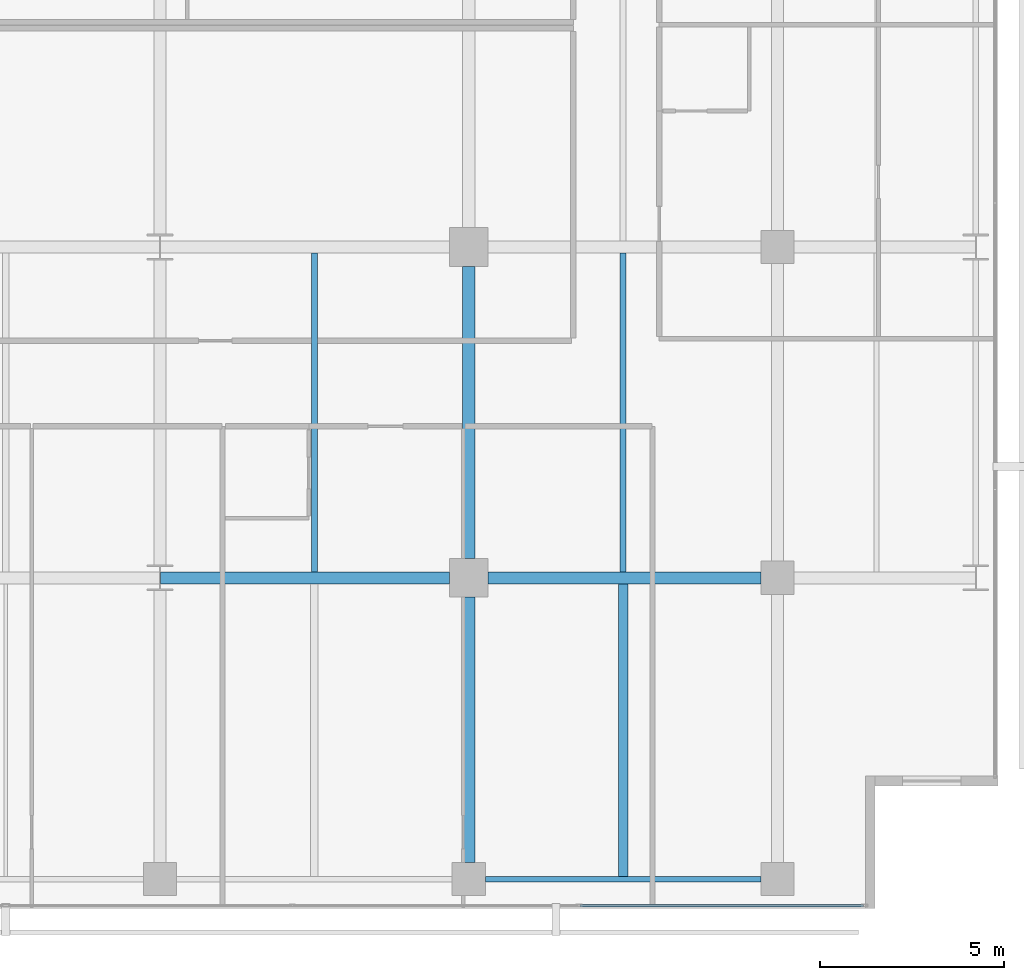
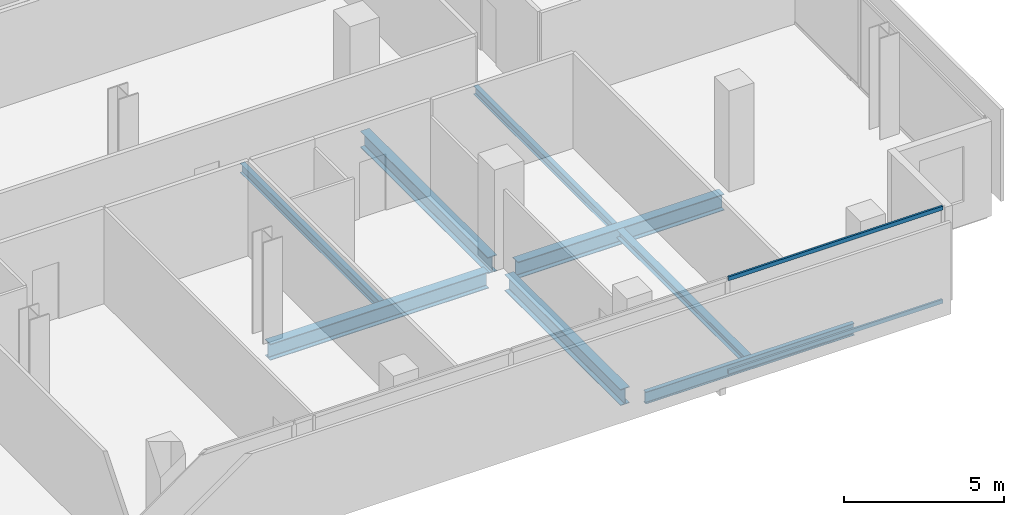
# One storey, part 15 of 40: 8 beams, 2 members, 1 element without a shape of its own.
"""IFC4 building model written with IfcOpenShell, lengths in metres."""

from ifc_helpers import new_model, si_unit, direction, frame, origin, origin_2d, place, context, subcontext, project, spatial, hollow_rectangle, i_section, extrude, material, layer, layer_set, material_profile, profile_set, type_object, element, aggregate, save


model = new_model("IFC4")

# Units and contexts
model_context = context("Model", 3, precision=1e-05, world=origin(), true_north=direction((0.0, 1.0)))
body_context = subcontext(model_context, "Body", "Model", "MODEL_VIEW")
ifc_project = project(units=[si_unit("LENGTHUNIT", "METRE"), si_unit("AREAUNIT", "SQUARE_METRE"), si_unit("VOLUMEUNIT", "CUBIC_METRE"), si_unit("PLANEANGLEUNIT", "RADIAN"), si_unit("MASSUNIT", "GRAM", prefix="KILO")], contexts=[model_context])

# Site, building, storey
site_placement = place(None, origin())
site = spatial("IfcSite", under=ifc_project, at=site_placement, CompositionType="ELEMENT")
building_placement = place(site_placement, origin())
building = spatial("IfcBuilding", under=site, at=building_placement, Name="Maruvema Waterfront Hotel and Observation Tower", CompositionType="ELEMENT")
storey_placement = place(building_placement, frame((0.0, 0.0, 73.14990234375)))
storey = spatial("IfcBuildingStorey", under=building, at=storey_placement, Name="L17", CompositionType="ELEMENT", Elevation=73.14990234375)

# Curtain wall, members
ifc_material_1 = material(Name="Anodised bronze aluminium and solar-control low-E IGU", Category="aluminium")
ifc_layer = layer(ifc_material_1, 0.159912109375, Name="Zone 1 Bronze Inner Thermal Curtain Wall System CW-02")
ifc_layer_set = layer_set([ifc_layer], Name="Anodised bronze aluminium and solar-control low-E IGU")
curtain_wall_type = type_object("IfcCurtainWallType", Name="Zone 1 Bronze Inner Thermal Curtain Wall System CW-02", PredefinedType="USERDEFINED", material=ifc_layer_set)
curtain_wall_placement = place(storey_placement, origin())
curtain_wall = element("IfcCurtainWall", 1, at=curtain_wall_placement, inside=storey, type_object=curtain_wall_type, Name="L17 Curtain Wall CW-L17-S", ObjectType="UNITISED CURTAIN WALL", PredefinedType="USERDEFINED")
ifc_material_2 = material(Name="Anodised architectural bronze aluminium", Category="aluminium")
ifc_material_profile_1 = material_profile(ifc_material_2, hollow_rectangle(XDim=0.070068359375, YDim=0.14990234375, WallThickness=0.00390625, at=origin_2d()), Name="ALU-T70x150")
ifc_profile_set_1 = profile_set([ifc_material_profile_1], Name="Anodised architectural bronze aluminium")
member_type = type_object("IfcMemberType", Name="Curtain Wall Horizontal Transom ALU-T70x150", PredefinedType="USERDEFINED", material=ifc_profile_set_1)
member_1_placement = place(storey_placement, frame((53.429931640625, 0.080078125, 0.030029296875), z_axis=(1.0, 0.0, 0.0), x_axis=(0.0, 1.0, 0.0)))
member_1 = element("IfcMember", 2, at=member_1_placement, type_object=member_type, Name="CW-02 transom 6.1", ObjectType="TRANSOM", PredefinedType="USERDEFINED", context=body_context, shape_type="SweptSolid", body=[
    extrude(hollow_rectangle(XDim=0.070068359375, YDim=0.14990234375, WallThickness=0.00390625, at=origin_2d()), origin(), (0.0, 0.0, 1.0), 7.7099609375),
])
member_2_placement = place(storey_placement, frame((53.429931640625, 0.080078125, 3.580078125), z_axis=(1.0, 0.0, 0.0), x_axis=(0.0, 1.0, 0.0)))
member_2 = element("IfcMember", 3, at=member_2_placement, type_object=member_type, Name="CW-02 transom 6.2", ObjectType="TRANSOM", PredefinedType="USERDEFINED", context=body_context, shape_type="SweptSolid", body=[
    extrude(hollow_rectangle(XDim=0.070068359375, YDim=0.14990234375, WallThickness=0.00390625, at=origin_2d()), origin(), (0.0, 0.0, 1.0), 7.7099609375),
])
aggregate(curtain_wall, [member_1, member_2])

# Beams
ifc_material_3 = material(Name="Steel ASTM A572 Grade 50", Category="steel")
ifc_material_profile_2 = material_profile(ifc_material_3, i_section(OverallWidth=0.153076171875, OverallDepth=0.455078125, WebThickness=0.008056640625, FlangeThickness=0.01318359375, FilletRadius=0.014892578125, at=origin_2d()), Name="W460x60.0")
ifc_profile_set_2 = profile_set([ifc_material_profile_2], Name="Steel ASTM A572 Grade 50")
beam_type_1 = type_object("IfcBeamType", Name="Perimeter Spandrel Beam W460x60.0", PredefinedType="SPANDREL", material=ifc_profile_set_2)
beam_1_placement = place(storey_placement, frame((50.85009765625, 0.800048828125, -0.46728515625), z_axis=(1.0, 0.0, 0.0), x_axis=(0.0, 1.0, 0.0)))
element("IfcBeam", 4, at=beam_1_placement, inside=storey, type_object=beam_type_1, Name="L17 Floor Girder EW-05", PredefinedType="SPANDREL", context=body_context, shape_type="SweptSolid", body=[
    extrude(i_section(OverallWidth=0.153076171875, OverallDepth=0.455078125, WebThickness=0.008056640625, FlangeThickness=0.01318359375, FilletRadius=0.014892578125, at=origin_2d()), origin(), (0.0, 0.0, 1.0), 7.5),
])
ifc_material_4 = material(Name="Steel ASTM A572 Grade 50", Category="steel")
ifc_material_profile_3 = material_profile(ifc_material_4, i_section(OverallWidth=0.326904296875, OverallDepth=0.6220703125, WebThickness=0.015380859375, FlangeThickness=0.0244140625, FilletRadius=0.01806640625, at=origin_2d()), Name="W610x195.0")
ifc_profile_set_3 = profile_set([ifc_material_profile_3], Name="Steel ASTM A572 Grade 50")
beam_type_2 = type_object("IfcBeamType", Name="Primary Floor Girder W610x195.0", PredefinedType="BEAM", material=ifc_profile_set_3)
beam_2_placement = place(storey_placement, frame((42.013916015625, 9.0, -0.55078125), z_axis=(1.0, 0.0, 0.0), x_axis=(0.0, 1.0, 0.0)))
element("IfcBeam", 5, at=beam_2_placement, inside=storey, type_object=beam_type_2, Name="L17 Floor Girder EW-10", PredefinedType="BEAM", context=body_context, shape_type="SweptSolid", body=[
    extrude(i_section(OverallWidth=0.326904296875, OverallDepth=0.6220703125, WebThickness=0.015380859375, FlangeThickness=0.0244140625, FilletRadius=0.01806640625, at=origin_2d()), origin(), (0.0, 0.0, 1.0), 7.861083984375),
])
beam_3_placement = place(storey_placement, frame((50.925048828125, 9.0, -0.55078125), z_axis=(1.0, 0.0, 0.0), x_axis=(0.0, 1.0, 0.0)))
element("IfcBeam", 6, at=beam_3_placement, inside=storey, type_object=beam_type_2, Name="L17 Floor Girder EW-11", PredefinedType="BEAM", context=body_context, shape_type="SweptSolid", body=[
    extrude(i_section(OverallWidth=0.326904296875, OverallDepth=0.6220703125, WebThickness=0.015380859375, FlangeThickness=0.0244140625, FilletRadius=0.01806640625, at=origin_2d()), origin(), (0.0, 0.0, 1.0), 7.425048828125),
])
beam_4_placement = place(storey_placement, frame((50.39990234375, 1.25, -0.55078125), z_axis=(0.0, 1.0, 0.0), x_axis=(-1.0, 0.0, 0.0)))
element("IfcBeam", 7, at=beam_4_placement, inside=storey, type_object=beam_type_2, Name="L17 Floor Girder NS-22", PredefinedType="BEAM", context=body_context, shape_type="SweptSolid", body=[
    extrude(i_section(OverallWidth=0.326904296875, OverallDepth=0.6220703125, WebThickness=0.015380859375, FlangeThickness=0.0244140625, FilletRadius=0.01806640625, at=origin_2d()), origin(), (0.0, 0.0, 1.0), 7.22509765625),
])
beam_5_placement = place(storey_placement, frame((50.39990234375, 9.52490234375, -0.55078125), z_axis=(0.0, 1.0, 0.0), x_axis=(-1.0, 0.0, 0.0)))
element("IfcBeam", 8, at=beam_5_placement, inside=storey, type_object=beam_type_2, Name="L17 Floor Girder NS-23", PredefinedType="BEAM", context=body_context, shape_type="SweptSolid", body=[
    extrude(i_section(OverallWidth=0.326904296875, OverallDepth=0.6220703125, WebThickness=0.015380859375, FlangeThickness=0.0244140625, FilletRadius=0.01806640625, at=origin_2d()), origin(), (0.0, 0.0, 1.0), 7.9501953125),
])
ifc_material_5 = material(Name="Steel ASTM A572 Grade 50", Category="steel")
ifc_material_profile_4 = material_profile(ifc_material_5, i_section(OverallWidth=0.1669921875, OverallDepth=0.31689453125, WebThickness=0.007568359375, FlangeThickness=0.01318359375, FilletRadius=0.012939453125, at=origin_2d()), Name="W310x52.0")
ifc_profile_set_4 = profile_set([ifc_material_profile_4], Name="Steel ASTM A572 Grade 50")
beam_type_3 = type_object("IfcBeamType", Name="Secondary Floor Joist W310x52.0", PredefinedType="JOIST", material=ifc_profile_set_4)
beam_6_placement = place(storey_placement, frame((54.60009765625, 9.16357421875, -0.3984375), z_axis=(0.0, 1.0, 0.0), x_axis=(-1.0, 0.0, 0.0)))
element("IfcBeam", 9, at=beam_6_placement, inside=storey, type_object=beam_type_3, Name="L17 Secondary Floor Joist JS-17", PredefinedType="JOIST", context=body_context, shape_type="SweptSolid", body=[
    extrude(i_section(OverallWidth=0.1669921875, OverallDepth=0.31689453125, WebThickness=0.007568359375, FlangeThickness=0.01318359375, FilletRadius=0.012939453125, at=origin_2d()), origin(), (0.0, 0.0, 1.0), 8.6728515625),
])
ifc_material_6 = material(Name="Steel ASTM A572 Grade 50", Category="steel")
ifc_material_profile_5 = material_profile(ifc_material_6, i_section(OverallWidth=0.25390625, OverallDepth=0.305908203125, WebThickness=0.0087890625, FlangeThickness=0.0146484375, FilletRadius=0.014892578125, at=origin_2d()), Name="W310x79.0")
ifc_profile_set_5 = profile_set([ifc_material_profile_5], Name="Steel ASTM A572 Grade 50")
beam_type_4 = type_object("IfcBeamType", Name="Secondary Floor Joist W310x79.0", PredefinedType="JOIST", material=ifc_profile_set_5)
beam_7_placement = place(storey_placement, frame((54.60009765625, 0.87646484375, -0.392822265625), z_axis=(0.0, 1.0, 0.0), x_axis=(-1.0, 0.0, 0.0)))
element("IfcBeam", 10, at=beam_7_placement, inside=storey, type_object=beam_type_4, Name="L17 Secondary Floor Joist JS-16", PredefinedType="JOIST", context=body_context, shape_type="SweptSolid", body=[
    extrude(i_section(OverallWidth=0.25390625, OverallDepth=0.305908203125, WebThickness=0.0087890625, FlangeThickness=0.0146484375, FilletRadius=0.014892578125, at=origin_2d()), origin(), (0.0, 0.0, 1.0), 7.9599609375),
])
ifc_material_7 = material(Name="Steel ASTM A572 Grade 50", Category="steel")
ifc_material_profile_6 = material_profile(ifc_material_7, i_section(OverallWidth=0.1708984375, OverallDepth=0.35498046875, WebThickness=0.007080078125, FlangeThickness=0.01171875, FilletRadius=0.014892578125, at=origin_2d()), Name="W360x51.0")
ifc_profile_set_6 = profile_set([ifc_material_profile_6], Name="Steel ASTM A572 Grade 50")
beam_type_5 = type_object("IfcBeamType", Name="Secondary Floor Joist W360x51.0", PredefinedType="JOIST", material=ifc_profile_set_6)
beam_8_placement = place(storey_placement, frame((46.199951171875, 9.16357421875, -0.41748046875), z_axis=(0.0, 1.0, 0.0), x_axis=(-1.0, 0.0, 0.0)))
element("IfcBeam", 11, at=beam_8_placement, inside=storey, type_object=beam_type_5, Name="L17 Secondary Floor Joist JS-15", PredefinedType="JOIST", context=body_context, shape_type="SweptSolid", body=[
    extrude(i_section(OverallWidth=0.1708984375, OverallDepth=0.35498046875, WebThickness=0.007080078125, FlangeThickness=0.01171875, FilletRadius=0.014892578125, at=origin_2d()), origin(), (0.0, 0.0, 1.0), 8.6728515625),
])

save(model, "model.ifc")
